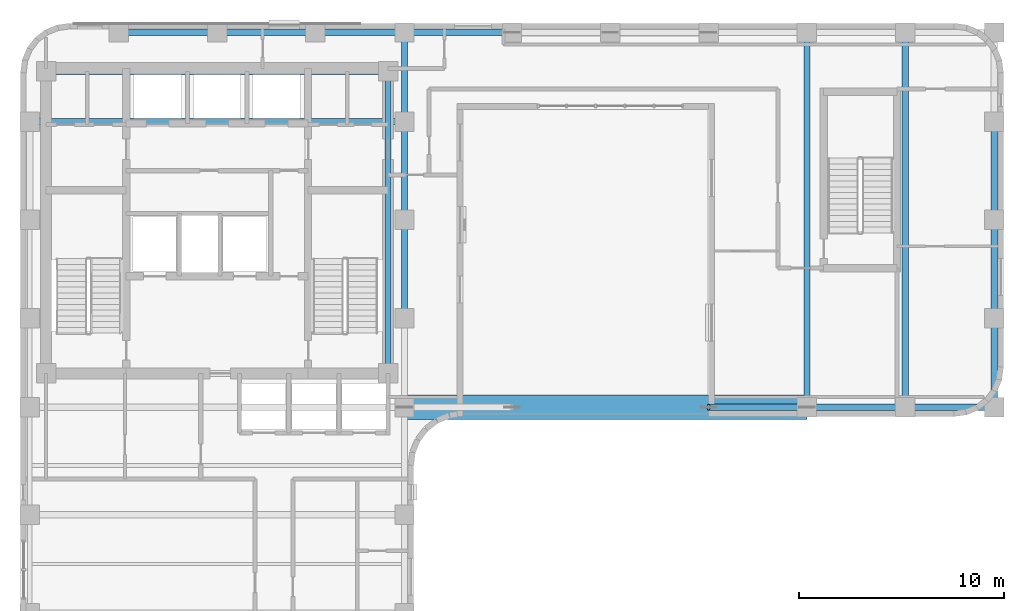
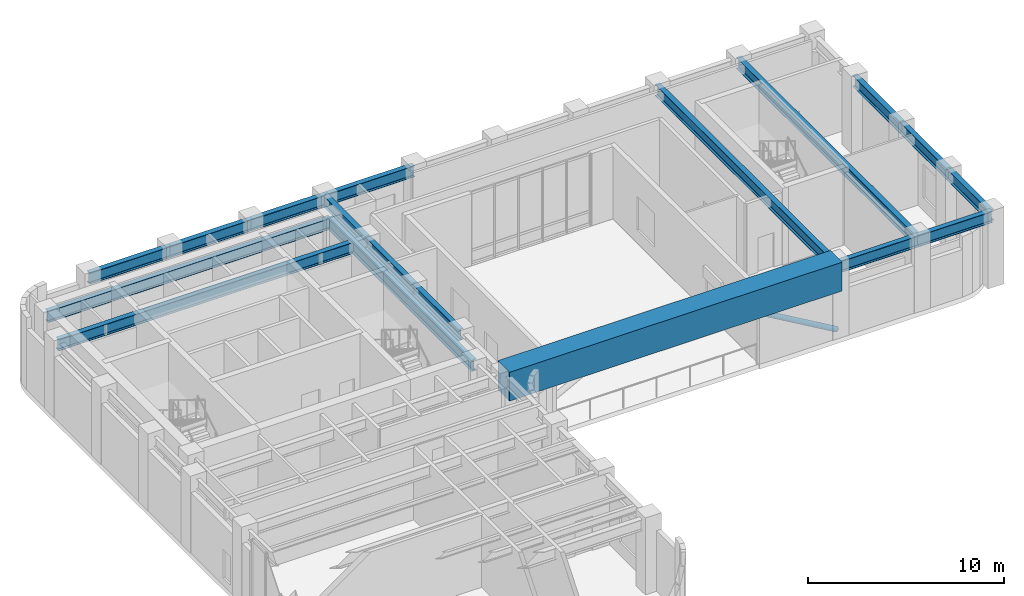
# One storey, part 3 of 12: 18 beams, 1 member.
"""IFC4 building model written with IfcOpenShell, lengths in metres."""

from ifc_helpers import new_model, si_unit, direction, frame, origin, origin_2d, place, context, subcontext, project, spatial, rectangle, hollow_circle, i_section, extrude, material, material_profile, profile_set, type_object, element, save


model = new_model("IFC4")

# Units and contexts
model_context = context("Model", 3, precision=1e-05, world=origin(), true_north=direction((0.0, 1.0)))
body_context = subcontext(model_context, "Body", "Model", "MODEL_VIEW")
ifc_project = project(units=[si_unit("LENGTHUNIT", "METRE"), si_unit("AREAUNIT", "SQUARE_METRE"), si_unit("VOLUMEUNIT", "CUBIC_METRE"), si_unit("PLANEANGLEUNIT", "RADIAN"), si_unit("MASSUNIT", "GRAM", prefix="KILO")], contexts=[model_context])

# Site, building, storey
site_placement = place(None, origin())
site = spatial("IfcSite", under=ifc_project, at=site_placement, CompositionType="ELEMENT")
building_placement = place(site_placement, origin())
building = spatial("IfcBuilding", under=site, at=building_placement, Name="Orvandelia Arch Residences", CompositionType="ELEMENT")
storey_placement = place(building_placement, frame((0.0, 0.0, 193.60009765625)))
storey = spatial("IfcBuildingStorey", under=building, at=storey_placement, Name="L51", CompositionType="ELEMENT", Elevation=193.60009765625)

# Beams
ifc_material_1 = material(Name="Structural Steel SM355 (355 MPa)", Category="steel")
ifc_material_profile_1 = material_profile(ifc_material_1, i_section(OverallWidth=0.300048828125, OverallDepth=0.699951171875, WebThickness=0.012939453125, FlangeThickness=0.02392578125, FilletRadius=0.02392578125, at=origin_2d()), Name="Structural Steel SM355 (355 MPa)", Category="steel")
ifc_profile_set_1 = profile_set([ifc_material_profile_1], Name="Structural Steel SM355 (355 MPa)")
beam_type_1 = type_object("IfcBeamType", Name="BM-GRD-H700", PredefinedType="BEAM", material=ifc_profile_set_1)
beam_1_placement = place(storey_placement, frame((22.75, 30.89990234375, 4.14990234375), z_axis=(0.0, 1.0, 0.0), x_axis=(-1.0, 0.0, 0.0)))
element("IfcBeam", 1, at=beam_1_placement, inside=storey, type_object=beam_type_1, Name="Structural Frame Beam L51-NS-008", PredefinedType="BEAM", context=body_context, shape_type="SweptSolid", body=[
    extrude(i_section(OverallWidth=0.300048828125, OverallDepth=0.699951171875, WebThickness=0.012939453125, FlangeThickness=0.02392578125, FilletRadius=0.02392578125, at=origin_2d()), origin(), (0.0, 0.0, 1.0), 14.75),
])
beam_2_placement = place(storey_placement, frame((23.550048828125, 33.60009765625, 4.14990234375), z_axis=(0.0, 1.0, 0.0), x_axis=(-1.0, 0.0, 0.0)))
element("IfcBeam", 2, at=beam_2_placement, inside=storey, type_object=beam_type_1, Name="Structural Frame Beam L51-NS-013", PredefinedType="BEAM", context=body_context, shape_type="SweptSolid", body=[
    extrude(i_section(OverallWidth=0.300048828125, OverallDepth=0.699951171875, WebThickness=0.012939453125, FlangeThickness=0.02392578125, FilletRadius=0.02392578125, at=origin_2d()), origin(), (0.0, 0.0, 1.0), 4.7998046875),
])
beam_3_placement = place(storey_placement, frame((23.550048828125, 38.39990234375, 4.14990234375), z_axis=(0.0, 1.0, 0.0), x_axis=(-1.0, 0.0, 0.0)))
element("IfcBeam", 3, at=beam_3_placement, inside=storey, type_object=beam_type_1, Name="Structural Frame Beam L51-NS-014", PredefinedType="BEAM", context=body_context, shape_type="SweptSolid", body=[
    extrude(i_section(OverallWidth=0.300048828125, OverallDepth=0.699951171875, WebThickness=0.012939453125, FlangeThickness=0.02392578125, FilletRadius=0.02392578125, at=origin_2d()), origin(), (0.0, 0.0, 1.0), 4.800048828125),
])
beam_4_placement = place(storey_placement, frame((23.550048828125, 43.199951171875, 4.14990234375), z_axis=(0.0, 1.0, 0.0), x_axis=(-1.0, 0.0, 0.0)))
element("IfcBeam", 4, at=beam_4_placement, inside=storey, type_object=beam_type_1, Name="Structural Frame Beam L51-NS-015", PredefinedType="BEAM", context=body_context, shape_type="SweptSolid", body=[
    extrude(i_section(OverallWidth=0.300048828125, OverallDepth=0.699951171875, WebThickness=0.012939453125, FlangeThickness=0.02392578125, FilletRadius=0.02392578125, at=origin_2d()), origin(), (0.0, 0.0, 1.0), 4.35009765625),
])
for number, where, z_axis, x_axis, name in (
    (5, (43.199951171875, 29.25, 4.14990234375), (0.0, 1.0, 0.0), (-1.0, 0.0, 0.0), "Structural Frame Beam L51-NS-016"),
    (6, (48.0, 29.25, 4.14990234375), (0.0, 1.0, 0.0), (-1.0, 0.0, 0.0), "Structural Frame Beam L51-NS-017"),
):
    element("IfcBeam", number, at=place(storey_placement, frame(where, z_axis=z_axis, x_axis=x_axis)), inside=storey, type_object=beam_type_1, Name=name, PredefinedType="BEAM", context=body_context, shape_type="SweptSolid", body=[
        extrude(i_section(OverallWidth=0.300048828125, OverallDepth=0.699951171875, WebThickness=0.012939453125, FlangeThickness=0.02392578125, FilletRadius=0.02392578125, at=origin_2d()), origin(), (0.0, 0.0, 1.0), 18.300048828125),
    ])
beam_5_placement = place(storey_placement, frame((52.35009765625, 29.25, 4.14990234375), z_axis=(0.0, 1.0, 0.0), x_axis=(-1.0, 0.0, 0.0)))
element("IfcBeam", 7, at=beam_5_placement, inside=storey, type_object=beam_type_1, Name="Structural Frame Beam L51-NS-018", PredefinedType="BEAM", context=body_context, shape_type="SweptSolid", body=[
    extrude(i_section(OverallWidth=0.300048828125, OverallDepth=0.699951171875, WebThickness=0.012939453125, FlangeThickness=0.02392578125, FilletRadius=0.02392578125, at=origin_2d()), origin(), (0.0, 0.0, 1.0), 4.35009765625),
])
beam_6_placement = place(storey_placement, frame((52.35009765625, 33.60009765625, 4.14990234375), z_axis=(0.0, 1.0, 0.0), x_axis=(-1.0, 0.0, 0.0)))
element("IfcBeam", 8, at=beam_6_placement, inside=storey, type_object=beam_type_1, Name="Structural Frame Beam L51-NS-019", PredefinedType="BEAM", context=body_context, shape_type="SweptSolid", body=[
    extrude(i_section(OverallWidth=0.300048828125, OverallDepth=0.699951171875, WebThickness=0.012939453125, FlangeThickness=0.02392578125, FilletRadius=0.02392578125, at=origin_2d()), origin(), (0.0, 0.0, 1.0), 4.7998046875),
])
for number, where, z_axis, x_axis, name in (
    (9, (52.35009765625, 38.39990234375, 4.14990234375), (0.0, 1.0, 0.0), (-1.0, 0.0, 0.0), "Structural Frame Beam L51-NS-020"),
    (10, (43.199951171875, 29.25, 4.14990234375), (1.0, 0.0, 0.0), (0.0, 1.0, 0.0), "Structural Frame Girder L51-EW-028"),
):
    element("IfcBeam", number, at=place(storey_placement, frame(where, z_axis=z_axis, x_axis=x_axis)), inside=storey, type_object=beam_type_1, Name=name, PredefinedType="BEAM", context=body_context, shape_type="SweptSolid", body=[
        extrude(i_section(OverallWidth=0.300048828125, OverallDepth=0.699951171875, WebThickness=0.012939453125, FlangeThickness=0.02392578125, FilletRadius=0.02392578125, at=origin_2d()), origin(), (0.0, 0.0, 1.0), 4.800048828125),
    ])
beam_7_placement = place(storey_placement, frame((48.0, 29.25, 4.14990234375), z_axis=(1.0, 0.0, 0.0), x_axis=(0.0, 1.0, 0.0)))
element("IfcBeam", 11, at=beam_7_placement, inside=storey, type_object=beam_type_1, Name="Structural Frame Girder L51-EW-029", PredefinedType="BEAM", context=body_context, shape_type="SweptSolid", body=[
    extrude(i_section(OverallWidth=0.300048828125, OverallDepth=0.699951171875, WebThickness=0.012939453125, FlangeThickness=0.02392578125, FilletRadius=0.02392578125, at=origin_2d()), origin(), (0.0, 0.0, 1.0), 4.35009765625),
])
beam_8_placement = place(storey_placement, frame((5.25, 43.199951171875, 4.14990234375), z_axis=(1.0, 0.0, 0.0), x_axis=(0.0, 1.0, 0.0)))
element("IfcBeam", 12, at=beam_8_placement, inside=storey, type_object=beam_type_1, Name="Structural Frame Girder L51-EW-033", PredefinedType="BEAM", context=body_context, shape_type="SweptSolid", body=[
    extrude(i_section(OverallWidth=0.300048828125, OverallDepth=0.699951171875, WebThickness=0.012939453125, FlangeThickness=0.02392578125, FilletRadius=0.02392578125, at=origin_2d()), origin(), (0.0, 0.0, 1.0), 18.300048828125),
])
beam_9_placement = place(storey_placement, frame((6.050048828125, 45.64990234375, 4.14990234375), z_axis=(1.0, 0.0, 0.0), x_axis=(0.0, 1.0, 0.0)))
element("IfcBeam", 13, at=beam_9_placement, inside=storey, type_object=beam_type_1, Name="Structural Frame Girder L51-EW-034", PredefinedType="BEAM", context=body_context, shape_type="SweptSolid", body=[
    extrude(i_section(OverallWidth=0.300048828125, OverallDepth=0.699951171875, WebThickness=0.012939453125, FlangeThickness=0.02392578125, FilletRadius=0.02392578125, at=origin_2d()), origin(), (0.0, 0.0, 1.0), 16.699951171875),
])
beam_10_placement = place(storey_placement, frame((9.60009765625, 47.550048828125, 4.14990234375), z_axis=(1.0, 0.0, 0.0), x_axis=(0.0, 1.0, 0.0)))
element("IfcBeam", 14, at=beam_10_placement, inside=storey, type_object=beam_type_1, Name="Structural Frame Girder L51-EW-035", PredefinedType="BEAM", context=body_context, shape_type="SweptSolid", body=[
    extrude(i_section(OverallWidth=0.300048828125, OverallDepth=0.699951171875, WebThickness=0.012939453125, FlangeThickness=0.02392578125, FilletRadius=0.02392578125, at=origin_2d()), origin(), (0.0, 0.0, 1.0), 4.7998046875),
])
beam_11_placement = place(storey_placement, frame((14.39990234375, 47.550048828125, 4.14990234375), z_axis=(1.0, 0.0, 0.0), x_axis=(0.0, 1.0, 0.0)))
element("IfcBeam", 15, at=beam_11_placement, inside=storey, type_object=beam_type_1, Name="Structural Frame Girder L51-EW-036", PredefinedType="BEAM", context=body_context, shape_type="SweptSolid", body=[
    extrude(i_section(OverallWidth=0.300048828125, OverallDepth=0.699951171875, WebThickness=0.012939453125, FlangeThickness=0.02392578125, FilletRadius=0.02392578125, at=origin_2d()), origin(), (0.0, 0.0, 1.0), 4.800048828125),
])
beam_12_placement = place(storey_placement, frame((19.199951171875, 47.550048828125, 4.14990234375), z_axis=(1.0, 0.0, 0.0), x_axis=(0.0, 1.0, 0.0)))
element("IfcBeam", 16, at=beam_12_placement, inside=storey, type_object=beam_type_1, Name="Structural Frame Girder L51-EW-037", PredefinedType="BEAM", context=body_context, shape_type="SweptSolid", body=[
    extrude(i_section(OverallWidth=0.300048828125, OverallDepth=0.699951171875, WebThickness=0.012939453125, FlangeThickness=0.02392578125, FilletRadius=0.02392578125, at=origin_2d()), origin(), (0.0, 0.0, 1.0), 4.35009765625),
])
beam_13_placement = place(storey_placement, frame((23.550048828125, 47.550048828125, 4.14990234375), z_axis=(1.0, 0.0, 0.0), x_axis=(0.0, 1.0, 0.0)))
element("IfcBeam", 17, at=beam_13_placement, inside=storey, type_object=beam_type_1, Name="Structural Frame Girder L51-EW-038", PredefinedType="BEAM", context=body_context, shape_type="SweptSolid", body=[
    extrude(i_section(OverallWidth=0.300048828125, OverallDepth=0.699951171875, WebThickness=0.012939453125, FlangeThickness=0.02392578125, FilletRadius=0.02392578125, at=origin_2d()), origin(), (0.0, 0.0, 1.0), 5.25),
])

# Member
ifc_material_2 = material(Name="Structural Steel HSA650 (650 MPa)", Category="steel")
ifc_material_profile_2 = material_profile(ifc_material_2, hollow_circle(Radius=0.1591796875, WallThickness=0.011962890625, at=origin_2d()), Name="Structural Steel HSA650 (650 MPa)", Category="steel")
ifc_profile_set_2 = profile_set([ifc_material_profile_2], Name="Structural Steel HSA650 (650 MPa)")
member_type = type_object("IfcMemberType", Name="MBR-PORTAL-DIAG", PredefinedType="BRACE", material=ifc_profile_set_2)
member_placement = place(storey_placement, frame((43.199951171875, 29.25, 0.25), z_axis=(-0.863796428652, 0.0, 0.503840976745), x_axis=(0.0, -1.0, 0.0)))
element("IfcMember", 18, at=member_placement, inside=storey, type_object=member_type, Name="Void-Portal Bridge Truss Diagonal PTD1", PredefinedType="BRACE", context=body_context, shape_type="SweptSolid", body=[
    extrude(hollow_circle(Radius=0.1591796875, WallThickness=0.011962890625, at=origin_2d()), origin(), (0.0, 0.0, 1.0), 5.556884765625),
])

# Beam
ifc_material_3 = material(Name="Concrete C80/95", Category="concrete")
ifc_material_profile_3 = material_profile(ifc_material_3, rectangle(XDim=1.199951171875, YDim=1.800048828125, at=origin_2d()), Name="Concrete C80/95", Category="concrete")
ifc_profile_set_3 = profile_set([ifc_material_profile_3], Name="Concrete C80/95")
beam_type_2 = type_object("IfcBeamType", Name="TG-ARCH-1200x1800", PredefinedType="USERDEFINED", material=ifc_profile_set_3)
beam_14_placement = place(storey_placement, frame((23.550048828125, 29.25, 3.89990234375), z_axis=(1.0, 0.0, 0.0), x_axis=(0.0, 1.0, 0.0)))
element("IfcBeam", 19, at=beam_14_placement, inside=storey, type_object=beam_type_2, Name="Portal Bridge Transfer Girder L51", ObjectType="TRANSFER GIRDER", PredefinedType="USERDEFINED", context=body_context, shape_type="SweptSolid", body=[
    extrude(rectangle(XDim=1.199951171875, YDim=1.800048828125, at=origin_2d()), origin(), (0.0, 0.0, 1.0), 19.64990234375),
])

save(model, "model.ifc")
